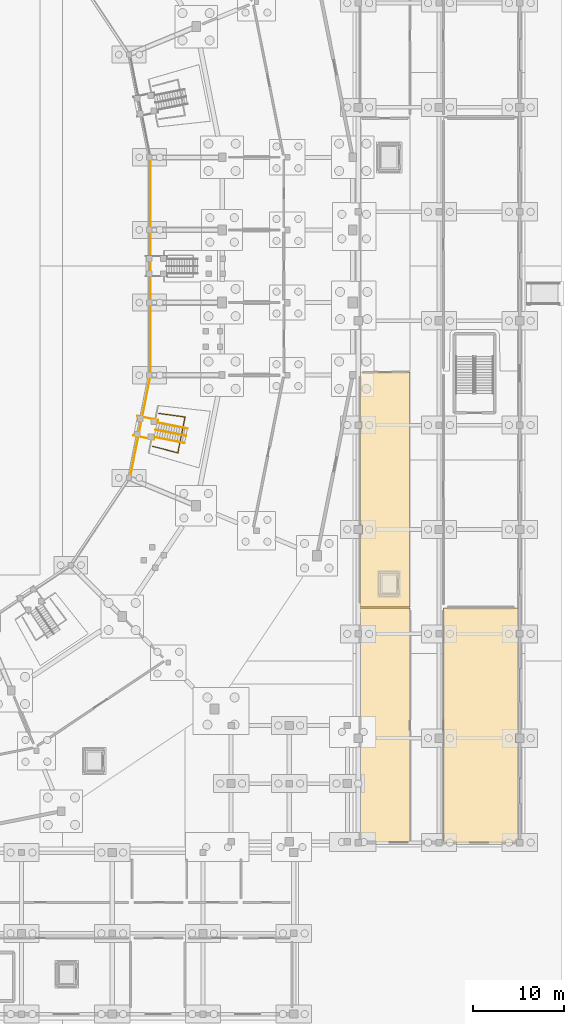
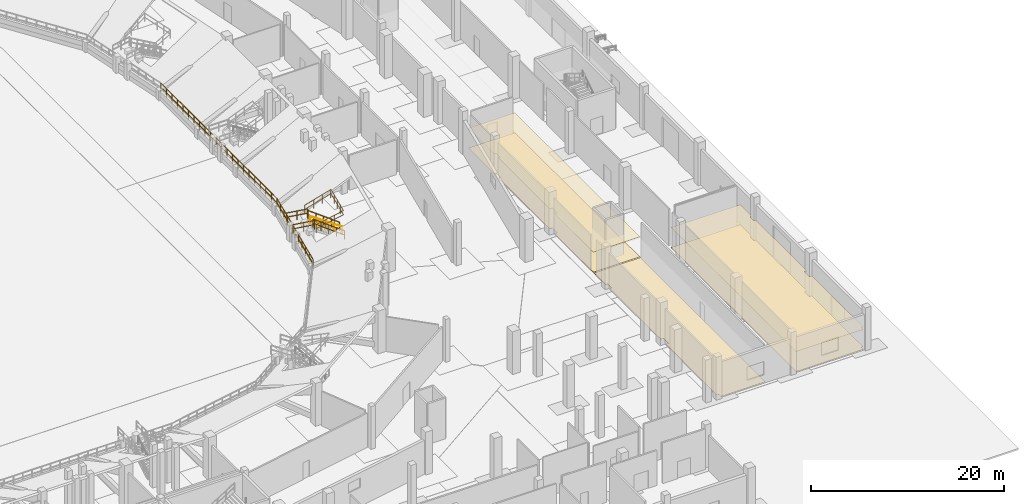
# One storey, part 58 of 68: 8 railings, 5 coverings.
"""IFC4 building model written with IfcOpenShell, lengths in metres."""

from ifc_helpers import new_model, si_unit, direction, frame, origin, origin_2d, place, context, subcontext, project, spatial, polyline, circle, outline, extrude, material, layer, layer_set, type_object, element, save


model = new_model("IFC4")

# Units and contexts
model_context = context("Model", 3, precision=1e-05, world=origin(), true_north=direction((0.0, 1.0)))
body_context = subcontext(model_context, "Body", "Model", "MODEL_VIEW")
ifc_project = project(units=[si_unit("LENGTHUNIT", "METRE"), si_unit("AREAUNIT", "SQUARE_METRE"), si_unit("VOLUMEUNIT", "CUBIC_METRE"), si_unit("PLANEANGLEUNIT", "RADIAN"), si_unit("MASSUNIT", "GRAM", prefix="KILO")], contexts=[model_context])

# Site, building, storey
site_placement = place(None, origin())
site = spatial("IfcSite", under=ifc_project, at=site_placement, CompositionType="ELEMENT")
building_placement = place(site_placement, origin())
building = spatial("IfcBuilding", under=site, at=building_placement, Name="Candeia Ridge Stadium", CompositionType="ELEMENT")
storey_placement = place(building_placement, origin())
storey = spatial("IfcBuildingStorey", under=building, at=storey_placement, Name="L00", CompositionType="ELEMENT", Elevation=0.0)

# Coverings
ifc_material_1 = material(Name="Perforated Acoustic Gypsum", Category="gypsum")
ifc_layer_1 = layer(ifc_material_1, 0.034912109375, Name="Perforated Acoustic Gypsum", Category="gypsum")
ifc_layer_set_1 = layer_set([ifc_layer_1], Name="Perforated Acoustic Gypsum")
covering_type_1 = type_object("IfcCoveringType", Name="Perforated Gypsum Acoustic Ceiling 35", PredefinedType="CEILING", material=ifc_layer_set_1)
covering_1_placement = place(storey_placement, frame((0.0, 0.0, 2.510009765625)))
element("IfcCovering", 1, at=covering_1_placement, inside=storey, type_object=covering_type_1, Name="Acoustic ceiling Home Team Dressing & Hydrotherapy Suite", PredefinedType="CEILING", context=body_context, shape_type="SweptSolid", body=[
    extrude(outline(polyline([(202.994140625, 19.470703125), (202.9912109375, 19.47119140625), (202.988525390625, 19.472412109375), (202.98583984375, 19.473388671875), (202.9833984375, 19.47509765625), (202.98095703125, 19.476806640625), (202.978759765625, 19.478759765625), (202.976806640625, 19.48095703125), (202.97509765625, 19.4833984375), (202.973388671875, 19.48583984375), (202.972412109375, 19.488525390625), (202.97119140625, 19.4912109375), (202.970703125, 19.494140625), (202.97021484375, 19.4970703125), (202.969970703125, 19.5), (202.969970703125, 30.510009765625), (202.989990234375, 30.510009765625), (202.989990234375, 31.489990234375), (202.969970703125, 31.489990234375), (202.969970703125, 45.300048828125), (202.97021484375, 45.302978515625), (202.970703125, 45.305908203125), (202.97119140625, 45.30859375), (202.972412109375, 45.3115234375), (202.973388671875, 45.314208984375), (202.97509765625, 45.316650390625), (202.976806640625, 45.319091796875), (202.978759765625, 45.3212890625), (202.98095703125, 45.3232421875), (202.9833984375, 45.324951171875), (202.98583984375, 45.326416015625), (202.988525390625, 45.32763671875), (202.9912109375, 45.32861328125), (202.994140625, 45.329345703125), (202.9970703125, 45.329833984375), (203.0, 45.330078125), (211.199951171875, 45.330078125), (211.202880859375, 45.329833984375), (211.205810546875, 45.329345703125), (211.208740234375, 45.32861328125), (211.21142578125, 45.32763671875), (211.214111328125, 45.326416015625), (211.216796875, 45.324951171875), (211.218994140625, 45.3232421875), (211.22119140625, 45.3212890625), (211.22314453125, 45.319091796875), (211.224853515625, 45.316650390625), (211.2265625, 45.314208984375), (211.227783203125, 45.3115234375), (211.228759765625, 45.30859375), (211.2294921875, 45.305908203125), (211.22998046875, 45.302978515625), (211.22998046875, 45.300048828125), (211.22998046875, 42.889892578125), (211.010009765625, 42.889892578125), (211.010009765625, 42.110107421875), (211.22998046875, 42.110107421875), (211.22998046875, 31.489990234375), (210.909912109375, 31.489990234375), (210.909912109375, 30.510009765625), (211.22998046875, 30.510009765625), (211.22998046875, 19.889892578125), (211.010009765625, 19.889892578125), (211.010009765625, 19.469970703125), (203.0, 19.469970703125), (202.9970703125, 19.47021484375), (202.994140625, 19.470703125)])), origin(), (0.0, 0.0, 1.0), 0.0400390625),
])
covering_2_placement = place(storey_placement, frame((0.0, 0.0, 2.510009765625)))
element("IfcCovering", 2, at=covering_2_placement, inside=storey, type_object=covering_type_1, Name="Acoustic ceiling Visiting Team Dressing & Recovery Suite West Bay", PredefinedType="CEILING", context=body_context, shape_type="SweptSolid", body=[
    extrude(outline(polyline([(193.794189453125, 45.470703125), (193.791259765625, 45.47119140625), (193.78857421875, 45.472412109375), (193.785888671875, 45.473388671875), (193.783203125, 45.47509765625), (193.781005859375, 45.476806640625), (193.77880859375, 45.478759765625), (193.77685546875, 45.48095703125), (193.775146484375, 45.4833984375), (193.7734375, 45.48583984375), (193.772216796875, 45.488525390625), (193.771240234375, 45.4912109375), (193.7705078125, 45.494140625), (193.77001953125, 45.4970703125), (193.77001953125, 45.5), (193.77001953125, 53.510009765625), (194.090087890625, 53.510009765625), (194.090087890625, 54.489990234375), (193.77001953125, 54.489990234375), (193.77001953125, 65.110107421875), (193.989990234375, 65.110107421875), (193.989990234375, 65.889892578125), (193.77001953125, 65.889892578125), (193.77001953125, 71.300048828125), (193.77001953125, 71.302978515625), (193.7705078125, 71.305908203125), (193.771240234375, 71.30859375), (193.772216796875, 71.3115234375), (193.7734375, 71.314208984375), (193.775146484375, 71.316650390625), (193.77685546875, 71.319091796875), (193.77880859375, 71.3212890625), (193.781005859375, 71.3232421875), (193.783203125, 71.324951171875), (193.785888671875, 71.326416015625), (193.78857421875, 71.32763671875), (193.791259765625, 71.32861328125), (193.794189453125, 71.329345703125), (193.797119140625, 71.329833984375), (193.800048828125, 71.330078125), (199.300048828125, 71.330078125), (199.302978515625, 71.329833984375), (199.305908203125, 71.329345703125), (199.30859375, 71.32861328125), (199.3115234375, 71.32763671875), (199.314208984375, 71.326416015625), (199.316650390625, 71.324951171875), (199.319091796875, 71.3232421875), (199.3212890625, 71.3212890625), (199.3232421875, 71.319091796875), (199.324951171875, 71.316650390625), (199.326416015625, 71.314208984375), (199.32763671875, 71.3115234375), (199.32861328125, 71.30859375), (199.329345703125, 71.305908203125), (199.329833984375, 71.302978515625), (199.330078125, 71.300048828125), (199.330078125, 45.5), (199.329833984375, 45.4970703125), (199.329345703125, 45.494140625), (199.32861328125, 45.4912109375), (199.32763671875, 45.488525390625), (199.326416015625, 45.48583984375), (199.324951171875, 45.4833984375), (199.3232421875, 45.48095703125), (199.3212890625, 45.478759765625), (199.319091796875, 45.476806640625), (199.316650390625, 45.47509765625), (199.314208984375, 45.473388671875), (199.3115234375, 45.472412109375), (199.30859375, 45.47119140625), (199.305908203125, 45.470703125), (199.302978515625, 45.47021484375), (199.300048828125, 45.469970703125), (193.800048828125, 45.469970703125), (193.797119140625, 45.47021484375), (193.794189453125, 45.470703125)])), origin(), (0.0, 0.0, 1.0), 0.0400390625),
])

# Railings
ifc_material_2 = material(Name="Galvanized Powder-Coated Steel", Category="steel")
ifc_layer_2 = layer(ifc_material_2, 0.074951171875, Name="Galvanized Powder-Coated Steel", Category="steel")
ifc_layer_set_2 = layer_set([ifc_layer_2], Name="Galvanized Powder-Coated Steel")
railing_type_1 = type_object("IfcRailingType", Name="Spectator Bowl Front Guardrail 1120", PredefinedType="GUARDRAIL", material=ifc_layer_set_2)
railing_1_placement = place(storey_placement, frame((168.457763671875, 59.626708984375, 0.85009765625)))
element("IfcRailing", 3, at=railing_1_placement, inside=storey, type_object=railing_type_1, Name="Stand T1 front safety guardrail bay 29", PredefinedType="GUARDRAIL", context=body_context, shape_type="SweptSolid", body=[
    extrude(circle(Radius=0.02392578125, at=origin_2d()), frame((0.0, 0.0, 1.09619140625), z_axis=(0.19508358537, 0.980786620381, 0.0), x_axis=(-0.980786620381, 0.19508358537, 0.0)), (0.0, 0.0, 1.0), 11.59619140625),
    extrude(circle(Radius=0.02392578125, at=origin_2d()), frame((0.0, 0.0, 0.56005859375), z_axis=(0.19508358537, 0.980786620381, 0.0), x_axis=(-0.980786620381, 0.19508358537, 0.0)), (0.0, 0.0, 1.0), 11.59619140625),
    extrude(circle(Radius=0.02099609375, at=origin_2d()), origin(), (0.0, 0.0, 1.0), 1.072021484375),
    extrude(circle(Radius=0.02099609375, at=origin_2d()), frame((0.226318359375, 1.13720703125, 0.0)), (0.0, 0.0, 1.0), 1.072021484375),
    extrude(circle(Radius=0.02099609375, at=origin_2d()), frame((0.452392578125, 2.274658203125, 0.0)), (0.0, 0.0, 1.0), 1.072021484375),
    extrude(circle(Radius=0.02099609375, at=origin_2d()), frame((0.6787109375, 3.412109375, 0.0)), (0.0, 0.0, 1.0), 1.072021484375),
    extrude(circle(Radius=0.02099609375, at=origin_2d()), frame((0.90478515625, 4.54931640625, 0.0)), (0.0, 0.0, 1.0), 1.072021484375),
    extrude(circle(Radius=0.02099609375, at=origin_2d()), frame((1.131103515625, 5.6865234375, 0.0)), (0.0, 0.0, 1.0), 1.072021484375),
    extrude(circle(Radius=0.02099609375, at=origin_2d()), frame((1.357421875, 6.823974609375, 0.0)), (0.0, 0.0, 1.0), 1.072021484375),
    extrude(circle(Radius=0.02099609375, at=origin_2d()), frame((1.58349609375, 7.961181640625, 0.0)), (0.0, 0.0, 1.0), 1.072021484375),
    extrude(circle(Radius=0.02099609375, at=origin_2d()), frame((1.809814453125, 9.0986328125, 0.0)), (0.0, 0.0, 1.0), 1.072021484375),
    extrude(circle(Radius=0.02099609375, at=origin_2d()), frame((2.035888671875, 10.23583984375, 0.0)), (0.0, 0.0, 1.0), 1.072021484375),
    extrude(circle(Radius=0.02099609375, at=origin_2d()), frame((2.26220703125, 11.373291015625, 0.0)), (0.0, 0.0, 1.0), 1.072021484375),
])
for number, where, name in (
    (4, (170.719970703125, 71.0, 0.85009765625), "Stand T1 front safety guardrail bay 30"),
    (5, (170.719970703125, 79.0, 0.85009765625), "Stand T1 front safety guardrail bay 31"),
    (6, (170.719970703125, 87.0, 0.85009765625), "Stand T1 front safety guardrail bay 32"),
):
    element("IfcRailing", number, at=place(storey_placement, frame(where)), inside=storey, type_object=railing_type_1, Name=name, PredefinedType="GUARDRAIL", context=body_context, shape_type="SweptSolid", body=[
        extrude(circle(Radius=0.02392578125, at=origin_2d()), frame((0.0, 0.0, 1.09619140625), z_axis=(0.0, 1.0, 0.0), x_axis=(-1.0, 0.0, 0.0)), (0.0, 0.0, 1.0), 8.0),
        extrude(circle(Radius=0.02392578125, at=origin_2d()), frame((0.0, 0.0, 0.56005859375), z_axis=(0.0, 1.0, 0.0), x_axis=(-1.0, 0.0, 0.0)), (0.0, 0.0, 1.0), 8.0),
        extrude(circle(Radius=0.02099609375, at=origin_2d()), origin(), (0.0, 0.0, 1.0), 1.072021484375),
        extrude(circle(Radius=0.02099609375, at=origin_2d()), frame((0.0, 1.142822265625, 0.0)), (0.0, 0.0, 1.0), 1.072021484375),
        extrude(circle(Radius=0.02099609375, at=origin_2d()), frame((0.0, 2.28564453125, 0.0)), (0.0, 0.0, 1.0), 1.072021484375),
        extrude(circle(Radius=0.02099609375, at=origin_2d()), frame((0.0, 3.428466796875, 0.0)), (0.0, 0.0, 1.0), 1.072021484375),
        extrude(circle(Radius=0.02099609375, at=origin_2d()), frame((0.0, 4.571533203125, 0.0)), (0.0, 0.0, 1.0), 1.072021484375),
        extrude(circle(Radius=0.02099609375, at=origin_2d()), frame((0.0, 5.71435546875, 0.0)), (0.0, 0.0, 1.0), 1.072021484375),
        extrude(circle(Radius=0.02099609375, at=origin_2d()), frame((0.0, 6.857177734375, 0.0)), (0.0, 0.0, 1.0), 1.072021484375),
        extrude(circle(Radius=0.02099609375, at=origin_2d()), frame((0.0, 8.0, 0.0)), (0.0, 0.0, 1.0), 1.072021484375),
    ])

# Coverings
ifc_material_3 = material(Name="Vulcanized EPDM Sports Flooring", Category="wood")
ifc_layer_3 = layer(ifc_material_3, 0.02001953125, Name="Vulcanized EPDM Sports Flooring", Category="wood")
ifc_layer_set_3 = layer_set([ifc_layer_3], Name="Vulcanized EPDM Sports Flooring")
covering_type_2 = type_object("IfcCoveringType", Name="Sports Rubber Athlete Flooring 20", PredefinedType="FLOORING", material=ifc_layer_set_3)
covering_3_placement = place(storey_placement, origin())
element("IfcCovering", 7, at=covering_3_placement, inside=storey, type_object=covering_type_2, Name="Interior finish flooring Home Team Dressing & Hydrotherapy Suite West Bay", PredefinedType="FLOORING", context=body_context, shape_type="SweptSolid", body=[
    extrude(outline(polyline([(194.090087890625, 30.510009765625), (194.090087890625, 31.489990234375), (193.77001953125, 31.489990234375), (193.77001953125, 42.110107421875), (193.989990234375, 42.110107421875), (193.989990234375, 42.889892578125), (193.77001953125, 42.889892578125), (193.77001953125, 45.300048828125), (193.77001953125, 45.302978515625), (193.7705078125, 45.305908203125), (193.771240234375, 45.30859375), (193.772216796875, 45.3115234375), (193.7734375, 45.314208984375), (193.775146484375, 45.316650390625), (193.77685546875, 45.319091796875), (193.77880859375, 45.3212890625), (193.781005859375, 45.3232421875), (193.783203125, 45.324951171875), (193.785888671875, 45.326416015625), (193.78857421875, 45.32763671875), (193.791259765625, 45.32861328125), (193.794189453125, 45.329345703125), (193.797119140625, 45.329833984375), (193.800048828125, 45.330078125), (199.300048828125, 45.330078125), (199.302978515625, 45.329833984375), (199.305908203125, 45.329345703125), (199.30859375, 45.32861328125), (199.3115234375, 45.32763671875), (199.314208984375, 45.326416015625), (199.316650390625, 45.324951171875), (199.319091796875, 45.3232421875), (199.3212890625, 45.3212890625), (199.3232421875, 45.319091796875), (199.324951171875, 45.316650390625), (199.326416015625, 45.314208984375), (199.32763671875, 45.3115234375), (199.32861328125, 45.30859375), (199.329345703125, 45.305908203125), (199.329833984375, 45.302978515625), (199.330078125, 45.300048828125), (199.330078125, 19.5), (199.329833984375, 19.4970703125), (199.329345703125, 19.494140625), (199.32861328125, 19.4912109375), (199.32763671875, 19.488525390625), (199.326416015625, 19.48583984375), (199.324951171875, 19.4833984375), (199.3232421875, 19.48095703125), (199.3212890625, 19.478759765625), (199.319091796875, 19.476806640625), (199.316650390625, 19.47509765625), (199.314208984375, 19.473388671875), (199.3115234375, 19.472412109375), (199.30859375, 19.47119140625), (199.305908203125, 19.470703125), (199.302978515625, 19.47021484375), (199.300048828125, 19.469970703125), (193.989990234375, 19.469970703125), (193.989990234375, 19.889892578125), (193.77001953125, 19.889892578125), (193.77001953125, 30.510009765625), (194.090087890625, 30.510009765625)])), origin(), (0.0, 0.0, 1.0), 0.02001953125),
])
covering_4_placement = place(storey_placement, origin())
element("IfcCovering", 8, at=covering_4_placement, inside=storey, type_object=covering_type_2, Name="Interior finish flooring Home Team Dressing & Hydrotherapy Suite", PredefinedType="FLOORING", context=body_context, shape_type="SweptSolid", body=[
    extrude(outline(polyline([(202.994140625, 19.470703125), (202.9912109375, 19.47119140625), (202.988525390625, 19.472412109375), (202.98583984375, 19.473388671875), (202.9833984375, 19.47509765625), (202.98095703125, 19.476806640625), (202.978759765625, 19.478759765625), (202.976806640625, 19.48095703125), (202.97509765625, 19.4833984375), (202.973388671875, 19.48583984375), (202.972412109375, 19.488525390625), (202.97119140625, 19.4912109375), (202.970703125, 19.494140625), (202.97021484375, 19.4970703125), (202.969970703125, 19.5), (202.969970703125, 30.510009765625), (202.989990234375, 30.510009765625), (202.989990234375, 31.489990234375), (202.969970703125, 31.489990234375), (202.969970703125, 45.300048828125), (202.97021484375, 45.302978515625), (202.970703125, 45.305908203125), (202.97119140625, 45.30859375), (202.972412109375, 45.3115234375), (202.973388671875, 45.314208984375), (202.97509765625, 45.316650390625), (202.976806640625, 45.319091796875), (202.978759765625, 45.3212890625), (202.98095703125, 45.3232421875), (202.9833984375, 45.324951171875), (202.98583984375, 45.326416015625), (202.988525390625, 45.32763671875), (202.9912109375, 45.32861328125), (202.994140625, 45.329345703125), (202.9970703125, 45.329833984375), (203.0, 45.330078125), (211.199951171875, 45.330078125), (211.202880859375, 45.329833984375), (211.205810546875, 45.329345703125), (211.208740234375, 45.32861328125), (211.21142578125, 45.32763671875), (211.214111328125, 45.326416015625), (211.216796875, 45.324951171875), (211.218994140625, 45.3232421875), (211.22119140625, 45.3212890625), (211.22314453125, 45.319091796875), (211.224853515625, 45.316650390625), (211.2265625, 45.314208984375), (211.227783203125, 45.3115234375), (211.228759765625, 45.30859375), (211.2294921875, 45.305908203125), (211.22998046875, 45.302978515625), (211.22998046875, 45.300048828125), (211.22998046875, 42.889892578125), (211.010009765625, 42.889892578125), (211.010009765625, 42.110107421875), (211.22998046875, 42.110107421875), (211.22998046875, 31.489990234375), (210.909912109375, 31.489990234375), (210.909912109375, 30.510009765625), (211.22998046875, 30.510009765625), (211.22998046875, 19.889892578125), (211.010009765625, 19.889892578125), (211.010009765625, 19.469970703125), (203.0, 19.469970703125), (202.9970703125, 19.47021484375), (202.994140625, 19.470703125)])), origin(), (0.0, 0.0, 1.0), 0.02001953125),
])
covering_5_placement = place(storey_placement, origin())
element("IfcCovering", 9, at=covering_5_placement, inside=storey, type_object=covering_type_2, Name="Interior finish flooring Visiting Team Dressing & Recovery Suite West Bay", PredefinedType="FLOORING", context=body_context, shape_type="SweptSolid", body=[
    extrude(outline(polyline([(193.794189453125, 45.470703125), (193.791259765625, 45.47119140625), (193.78857421875, 45.472412109375), (193.785888671875, 45.473388671875), (193.783203125, 45.47509765625), (193.781005859375, 45.476806640625), (193.77880859375, 45.478759765625), (193.77685546875, 45.48095703125), (193.775146484375, 45.4833984375), (193.7734375, 45.48583984375), (193.772216796875, 45.488525390625), (193.771240234375, 45.4912109375), (193.7705078125, 45.494140625), (193.77001953125, 45.4970703125), (193.77001953125, 45.5), (193.77001953125, 53.510009765625), (194.090087890625, 53.510009765625), (194.090087890625, 54.489990234375), (193.77001953125, 54.489990234375), (193.77001953125, 65.110107421875), (193.989990234375, 65.110107421875), (193.989990234375, 65.889892578125), (193.77001953125, 65.889892578125), (193.77001953125, 71.300048828125), (193.77001953125, 71.302978515625), (193.7705078125, 71.305908203125), (193.771240234375, 71.30859375), (193.772216796875, 71.3115234375), (193.7734375, 71.314208984375), (193.775146484375, 71.316650390625), (193.77685546875, 71.319091796875), (193.77880859375, 71.3212890625), (193.781005859375, 71.3232421875), (193.783203125, 71.324951171875), (193.785888671875, 71.326416015625), (193.78857421875, 71.32763671875), (193.791259765625, 71.32861328125), (193.794189453125, 71.329345703125), (193.797119140625, 71.329833984375), (193.800048828125, 71.330078125), (199.300048828125, 71.330078125), (199.302978515625, 71.329833984375), (199.305908203125, 71.329345703125), (199.30859375, 71.32861328125), (199.3115234375, 71.32763671875), (199.314208984375, 71.326416015625), (199.316650390625, 71.324951171875), (199.319091796875, 71.3232421875), (199.3212890625, 71.3212890625), (199.3232421875, 71.319091796875), (199.324951171875, 71.316650390625), (199.326416015625, 71.314208984375), (199.32763671875, 71.3115234375), (199.32861328125, 71.30859375), (199.329345703125, 71.305908203125), (199.329833984375, 71.302978515625), (199.330078125, 71.300048828125), (199.330078125, 45.5), (199.329833984375, 45.4970703125), (199.329345703125, 45.494140625), (199.32861328125, 45.4912109375), (199.32763671875, 45.488525390625), (199.326416015625, 45.48583984375), (199.324951171875, 45.4833984375), (199.3232421875, 45.48095703125), (199.3212890625, 45.478759765625), (199.319091796875, 45.476806640625), (199.316650390625, 45.47509765625), (199.314208984375, 45.473388671875), (199.3115234375, 45.472412109375), (199.30859375, 45.47119140625), (199.305908203125, 45.470703125), (199.302978515625, 45.47021484375), (199.300048828125, 45.469970703125), (193.800048828125, 45.469970703125), (193.797119140625, 45.47021484375), (193.794189453125, 45.470703125)])), origin(), (0.0, 0.0, 1.0), 0.02001953125),
])

# Railings
ifc_material_4 = material(Name="Brushed Stainless Steel", Category="steel")
ifc_layer_4 = layer(ifc_material_4, 0.048095703125, Name="Brushed Stainless Steel", Category="steel")
ifc_layer_set_4 = layer_set([ifc_layer_4], Name="Brushed Stainless Steel")
railing_type_2 = type_object("IfcRailingType", Name="Stair Wall & Flight Handrail 900", PredefinedType="HANDRAIL", material=ifc_layer_set_4)
railing_2_placement = place(storey_placement, frame((174.62841796875, 64.310791015625, 0.17236328125)))
element("IfcRailing", 10, at=railing_2_placement, inside=storey, type_object=railing_type_2, Name="Vomitory stair handrail VS15", PredefinedType="HANDRAIL", context=body_context, shape_type="SweptSolid", body=[
    extrude(circle(Radius=0.02392578125, at=origin_2d()), frame((0.0, 0.0, 0.8759765625), z_axis=(-0.839316016978, 0.166959070849, 0.517371522511), x_axis=(-0.195100140729, -0.980783327289, 0.0)), (0.0, 0.0, 1.0), 3.996337890625),
    extrude(circle(Radius=0.02099609375, at=origin_2d()), origin(), (0.0, 0.0, 1.0), 0.851806640625),
    extrude(circle(Radius=0.02099609375, at=origin_2d()), frame((-0.838623046875, 0.166748046875, 0.516845703125)), (0.0, 0.0, 1.0), 0.851806640625),
    extrude(circle(Radius=0.02099609375, at=origin_2d()), frame((-1.67724609375, 0.33349609375, 1.03369140625)), (0.0, 0.0, 1.0), 0.851806640625),
    extrude(circle(Radius=0.02099609375, at=origin_2d()), frame((-2.515625, 0.50048828125, 1.55078125)), (0.0, 0.0, 1.0), 0.851806640625),
    extrude(circle(Radius=0.02099609375, at=origin_2d()), frame((-3.354248046875, 0.667236328125, 2.067626953125)), (0.0, 0.0, 1.0), 0.851806640625),
])
ifc_layer_5 = layer(ifc_material_2, 0.070068359375, Name="Galvanized Powder-Coated Steel", Category="steel")
ifc_layer_set_5 = layer_set([ifc_layer_5], Name="Galvanized Powder-Coated Steel")
railing_type_3 = type_object("IfcRailingType", Name="Vomitory Portal Guardrail 1100", PredefinedType="GUARDRAIL", material=ifc_layer_set_5)
railing_3_placement = place(storey_placement, frame((170.914794921875, 63.17138671875, 2.239990234375)))
element("IfcRailing", 11, at=railing_3_placement, inside=storey, type_object=railing_type_3, Name="Vomitory portal guardrail VS15", PredefinedType="GUARDRAIL", context=body_context, shape_type="SweptSolid", body=[
    extrude(circle(Radius=0.02392578125, at=origin_2d()), frame((0.0, 0.0, 1.076171875), z_axis=(0.892931247638, -0.23367871472, 0.384796108709), x_axis=(0.253172599664, 0.96742112587, 0.0)), (0.0, 0.0, 1.0), 3.1552734375),
    extrude(circle(Radius=0.02392578125, at=origin_2d()), frame((0.0, 0.0, 0.550048828125), z_axis=(0.892931247638, -0.23367871472, 0.384796108709), x_axis=(0.253172599664, 0.96742112587, 0.0)), (0.0, 0.0, 1.0), 3.1552734375),
    extrude(circle(Radius=0.02392578125, at=origin_2d()), frame((2.8173828125, -0.7373046875, 2.2900390625), z_axis=(0.195079434576, 0.980787445987, 0.0), x_axis=(-0.980787445987, 0.195079434576, 0.0)), (0.0, 0.0, 1.0), 4.031005859375),
    extrude(circle(Radius=0.02392578125, at=origin_2d()), frame((2.8173828125, -0.7373046875, 1.76416015625), z_axis=(0.195079434576, 0.980787445987, 0.0), x_axis=(-0.980787445987, 0.195079434576, 0.0)), (0.0, 0.0, 1.0), 4.031005859375),
    extrude(circle(Radius=0.02392578125, at=origin_2d()), frame((3.603759765625, 3.21630859375, 2.2900390625), z_axis=(-0.914382854834, 0.125817595156, -0.384803751975), x_axis=(-0.136313988444, -0.990665683545, 0.0)), (0.0, 0.0, 1.0), 3.155029296875),
    extrude(circle(Radius=0.02392578125, at=origin_2d()), frame((3.603759765625, 3.21630859375, 1.76416015625), z_axis=(-0.914382854834, 0.125817595156, -0.384803751975), x_axis=(-0.136313988444, -0.990665683545, 0.0)), (0.0, 0.0, 1.0), 3.155029296875),
    extrude(circle(Radius=0.02099609375, at=origin_2d()), origin(), (0.0, 0.0, 1.0), 1.052001953125),
    extrude(circle(Radius=0.02099609375, at=origin_2d()), frame((0.939208984375, -0.245849609375, 0.40478515625)), (0.0, 0.0, 1.0), 1.052001953125),
    extrude(circle(Radius=0.02099609375, at=origin_2d()), frame((1.878173828125, -0.491455078125, 0.809326171875)), (0.0, 0.0, 1.0), 1.052001953125),
    extrude(circle(Radius=0.02099609375, at=origin_2d()), frame((2.8173828125, -0.7373046875, 1.214111328125)), (0.0, 0.0, 1.0), 1.052001953125),
    extrude(circle(Radius=0.02099609375, at=origin_2d()), frame((3.013916015625, 0.2509765625, 1.214111328125)), (0.0, 0.0, 1.0), 1.052001953125),
    extrude(circle(Radius=0.02099609375, at=origin_2d()), frame((3.21044921875, 1.239501953125, 1.214111328125)), (0.0, 0.0, 1.0), 1.052001953125),
    extrude(circle(Radius=0.02099609375, at=origin_2d()), frame((3.4072265625, 2.22802734375, 1.214111328125)), (0.0, 0.0, 1.0), 1.052001953125),
    extrude(circle(Radius=0.02099609375, at=origin_2d()), frame((3.603759765625, 3.21630859375, 1.214111328125)), (0.0, 0.0, 1.0), 1.052001953125),
    extrude(circle(Radius=0.02099609375, at=origin_2d()), frame((2.64208984375, 3.3486328125, 0.809326171875)), (0.0, 0.0, 1.0), 1.052001953125),
    extrude(circle(Radius=0.02099609375, at=origin_2d()), frame((1.680419921875, 3.48095703125, 0.40478515625)), (0.0, 0.0, 1.0), 1.052001953125),
    extrude(circle(Radius=0.02099609375, at=origin_2d()), frame((0.71875, 3.61328125, 0.0)), (0.0, 0.0, 1.0), 1.052001953125),
])
railing_4_placement = place(storey_placement, frame((174.468505859375, 63.506591796875, 0.0)))
element("IfcRailing", 12, at=railing_4_placement, inside=storey, type_object=railing_type_3, Name="Vomitory stair & landing side guardrail VS15-L", PredefinedType="GUARDRAIL", context=body_context, shape_type="SweptSolid", body=[
    extrude(circle(Radius=0.02392578125, at=origin_2d()), frame((0.0, 0.0, 1.076171875), z_axis=(-0.820461766456, 0.163208531023, 0.547910088597), x_axis=(-0.195100140729, -0.980783327289, 0.0)), (0.0, 0.0, 1.0), 4.088134765625),
    extrude(circle(Radius=0.02392578125, at=origin_2d()), frame((0.0, 0.0, 0.550048828125), z_axis=(-0.820461766456, 0.163208531023, 0.547910088597), x_axis=(-0.195100140729, -0.980783327289, 0.0)), (0.0, 0.0, 1.0), 4.088134765625),
    extrude(circle(Radius=0.02392578125, at=origin_2d()), frame((-3.354248046875, 0.667236328125, 3.31591796875), z_axis=(-0.054370623932, -0.998520823645, 0.0), x_axis=(0.998520823645, -0.054370623932, 0.0)), (0.0, 0.0, 1.0), 0.282958984375),
    extrude(circle(Radius=0.02392578125, at=origin_2d()), frame((-3.354248046875, 0.667236328125, 2.7900390625), z_axis=(-0.054370623932, -0.998520823645, 0.0), x_axis=(0.998520823645, -0.054370623932, 0.0)), (0.0, 0.0, 1.0), 0.282958984375),
    extrude(circle(Radius=0.02392578125, at=origin_2d()), frame((-3.36962890625, 0.384765625, 3.31591796875), z_axis=(-0.980782527032, 0.195104163639, 0.0), x_axis=(-0.195104163639, -0.980782527032, 0.0)), (0.0, 0.0, 1.0), 2.320068359375),
    extrude(circle(Radius=0.02392578125, at=origin_2d()), frame((-3.36962890625, 0.384765625, 2.7900390625), z_axis=(-0.980782527032, 0.195104163639, 0.0), x_axis=(-0.195104163639, -0.980782527032, 0.0)), (0.0, 0.0, 1.0), 2.320068359375),
    extrude(circle(Radius=0.02099609375, at=origin_2d()), origin(), (0.0, 0.0, 1.0), 1.052001953125),
    extrude(circle(Radius=0.02099609375, at=origin_2d()), frame((-0.838623046875, 0.166748046875, 0.56005859375)), (0.0, 0.0, 1.0), 1.052001953125),
    extrude(circle(Radius=0.02099609375, at=origin_2d()), frame((-1.67724609375, 0.33349609375, 1.1201171875)), (0.0, 0.0, 1.0), 1.052001953125),
    extrude(circle(Radius=0.02099609375, at=origin_2d()), frame((-2.515625, 0.50048828125, 1.679931640625)), (0.0, 0.0, 1.0), 1.052001953125),
    extrude(circle(Radius=0.02099609375, at=origin_2d()), frame((-3.354248046875, 0.667236328125, 2.239990234375)), (0.0, 0.0, 1.0), 1.052001953125),
    extrude(circle(Radius=0.02099609375, at=origin_2d()), frame((-3.36962890625, 0.384765625, 2.239990234375)), (0.0, 0.0, 1.0), 1.052001953125),
    extrude(circle(Radius=0.02099609375, at=origin_2d()), frame((-4.50732421875, 0.611083984375, 2.239990234375)), (0.0, 0.0, 1.0), 1.052001953125),
    extrude(circle(Radius=0.02099609375, at=origin_2d()), frame((-5.64501953125, 0.83740234375, 2.239990234375)), (0.0, 0.0, 1.0), 1.052001953125),
])
railing_5_placement = place(storey_placement, frame((174.788330078125, 65.114990234375, 0.0)))
element("IfcRailing", 13, at=railing_5_placement, inside=storey, type_object=railing_type_3, Name="Vomitory stair & landing side guardrail VS15-R", PredefinedType="GUARDRAIL", context=body_context, shape_type="SweptSolid", body=[
    extrude(circle(Radius=0.02392578125, at=origin_2d()), frame((0.0, 0.0, 1.076171875), z_axis=(-0.820461766456, 0.163208531023, 0.547910088597), x_axis=(-0.195100140729, -0.980783327289, 0.0)), (0.0, 0.0, 1.0), 4.088134765625),
    extrude(circle(Radius=0.02392578125, at=origin_2d()), frame((0.0, 0.0, 0.550048828125), z_axis=(-0.820461766456, 0.163208531023, 0.547910088597), x_axis=(-0.195100140729, -0.980783327289, 0.0)), (0.0, 0.0, 1.0), 4.088134765625),
    extrude(circle(Radius=0.02392578125, at=origin_2d()), frame((-3.354248046875, 0.667236328125, 3.31591796875), z_axis=(0.331963044739, 0.943292392065, 0.0), x_axis=(-0.943292392065, 0.331963044739, 0.0)), (0.0, 0.0, 1.0), 0.283203125),
    extrude(circle(Radius=0.02392578125, at=origin_2d()), frame((-3.354248046875, 0.667236328125, 2.7900390625), z_axis=(0.331963044739, 0.943292392065, 0.0), x_axis=(-0.943292392065, 0.331963044739, 0.0)), (0.0, 0.0, 1.0), 0.283203125),
    extrude(circle(Radius=0.02392578125, at=origin_2d()), frame((-3.26025390625, 0.934326171875, 3.31591796875), z_axis=(-0.980802659281, 0.195002932151, 0.0), x_axis=(-0.195002932151, -0.980802659281, 0.0)), (0.0, 0.0, 1.0), 2.31982421875),
    extrude(circle(Radius=0.02392578125, at=origin_2d()), frame((-3.26025390625, 0.934326171875, 2.7900390625), z_axis=(-0.980802659281, 0.195002932151, 0.0), x_axis=(-0.195002932151, -0.980802659281, 0.0)), (0.0, 0.0, 1.0), 2.31982421875),
    extrude(circle(Radius=0.02099609375, at=origin_2d()), origin(), (0.0, 0.0, 1.0), 1.052001953125),
    extrude(circle(Radius=0.02099609375, at=origin_2d()), frame((-0.838623046875, 0.166748046875, 0.56005859375)), (0.0, 0.0, 1.0), 1.052001953125),
    extrude(circle(Radius=0.02099609375, at=origin_2d()), frame((-1.67724609375, 0.33349609375, 1.1201171875)), (0.0, 0.0, 1.0), 1.052001953125),
    extrude(circle(Radius=0.02099609375, at=origin_2d()), frame((-2.515625, 0.50048828125, 1.679931640625)), (0.0, 0.0, 1.0), 1.052001953125),
    extrude(circle(Radius=0.02099609375, at=origin_2d()), frame((-3.354248046875, 0.667236328125, 2.239990234375)), (0.0, 0.0, 1.0), 1.052001953125),
    extrude(circle(Radius=0.02099609375, at=origin_2d()), frame((-3.26025390625, 0.934326171875, 2.239990234375)), (0.0, 0.0, 1.0), 1.052001953125),
    extrude(circle(Radius=0.02099609375, at=origin_2d()), frame((-4.39794921875, 1.16064453125, 2.239990234375)), (0.0, 0.0, 1.0), 1.052001953125),
    extrude(circle(Radius=0.02099609375, at=origin_2d()), frame((-5.53564453125, 1.38671875, 2.239990234375)), (0.0, 0.0, 1.0), 1.052001953125),
])

save(model, "model.ifc")
